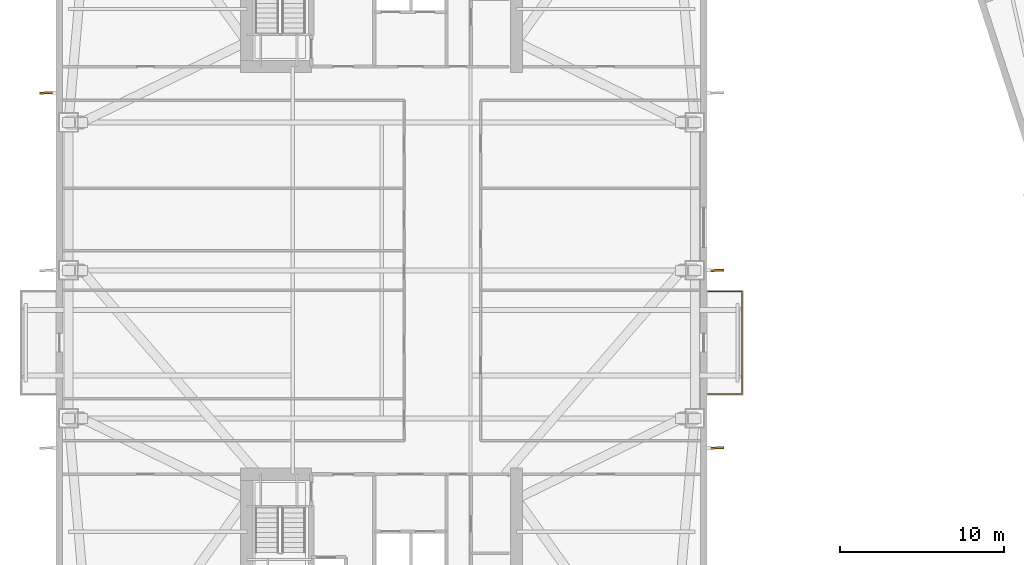
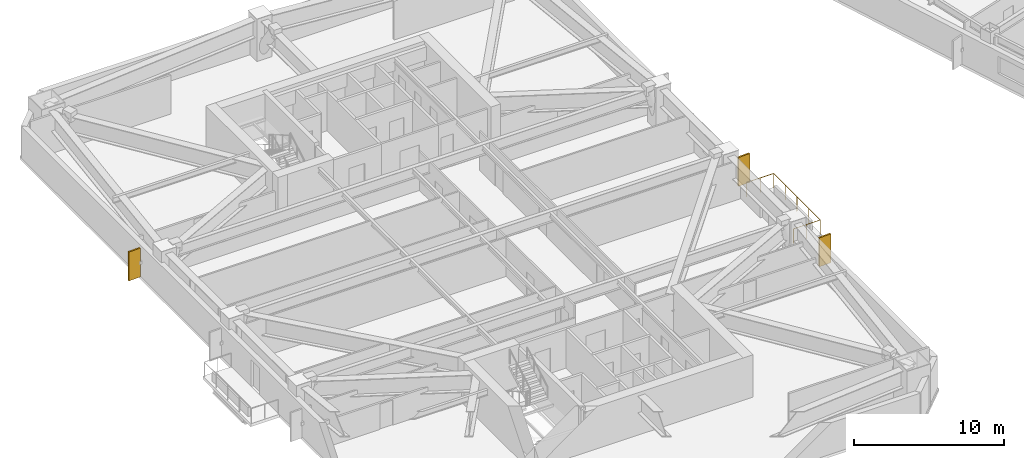
# One storey, part 16 of 19: 3 shading devices, 1 railing.
"""IFC4 building model written with IfcOpenShell, lengths in metres."""

from ifc_helpers import new_model, si_unit, direction, frame, origin, origin_2d, place, context, subcontext, project, spatial, rectangle, circle, extrude, material, layer, layer_set, type_object, element, save


model = new_model("IFC4")

# Units and contexts
model_context = context("Model", 3, precision=1e-05, world=origin(), true_north=direction((0.0, 1.0)))
body_context = subcontext(model_context, "Body", "Model", "MODEL_VIEW")
ifc_project = project(units=[si_unit("LENGTHUNIT", "METRE"), si_unit("AREAUNIT", "SQUARE_METRE"), si_unit("VOLUMEUNIT", "CUBIC_METRE"), si_unit("PLANEANGLEUNIT", "RADIAN"), si_unit("MASSUNIT", "GRAM", prefix="KILO")], contexts=[model_context])

# Site, building, storey
site_placement = place(None, origin())
site = spatial("IfcSite", under=ifc_project, at=site_placement, CompositionType="ELEMENT")
building_placement = place(site_placement, origin())
building = spatial("IfcBuilding", under=site, at=building_placement, Name="Qiaolan Cultural Towers", CompositionType="ELEMENT")
storey_placement = place(building_placement, frame((0.0, 0.0, 88.550048828125)))
storey = spatial("IfcBuildingStorey", under=building, at=storey_placement, Name="L22", CompositionType="ELEMENT", Elevation=88.550048828125)

# Railing
ifc_material_1 = material(Name="Laminated SentryGlas & Stainless Steel S31608 Balustrade", Category="steel")
railing_type = type_object("IfcRailingType", Name="GRD-TERR-1200", PredefinedType="BALUSTRADE", material=ifc_material_1)
railing_placement = place(storey_placement, frame((49.85009765625, 26.47998046875, 0.0)))
element("IfcRailing", 1, at=railing_placement, inside=storey, type_object=railing_type, Name="L22 T1 Tree Balcony Guardrail E", PredefinedType="BALUSTRADE", context=body_context, shape_type="SweptSolid", body=[
    extrude(circle(Radius=0.02392578125, at=origin_2d()), frame((0.0, 0.0, 1.17578125), z_axis=(1.0, 0.0, 0.0), x_axis=(0.0, 1.0, 0.0)), (0.0, 0.0, 1.0), 2.06982421875),
    extrude(circle(Radius=0.02392578125, at=origin_2d()), frame((2.06982421875, 0.0, 1.17578125), z_axis=(0.0, 1.0, 0.0), x_axis=(-1.0, 0.0, 0.0)), (0.0, 0.0, 1.0), 6.239990234375),
    extrude(circle(Radius=0.02392578125, at=origin_2d()), frame((2.06982421875, 6.239990234375, 1.17578125), z_axis=(-1.0, 0.0, 0.0), x_axis=(0.0, -1.0, 0.0)), (0.0, 0.0, 1.0), 2.06982421875),
    extrude(circle(Radius=0.02099609375, at=origin_2d()), origin(), (0.0, 0.0, 1.0), 1.15185546875),
    extrude(circle(Radius=0.02099609375, at=origin_2d()), frame((1.034912109375, 0.0, 0.0)), (0.0, 0.0, 1.0), 1.15185546875),
    extrude(circle(Radius=0.02099609375, at=origin_2d()), frame((2.06982421875, 0.0, 0.0)), (0.0, 0.0, 1.0), 1.15185546875),
    extrude(circle(Radius=0.02099609375, at=origin_2d()), frame((2.06982421875, 1.56005859375, 0.0)), (0.0, 0.0, 1.0), 1.15185546875),
    extrude(circle(Radius=0.02099609375, at=origin_2d()), frame((2.06982421875, 3.1201171875, 0.0)), (0.0, 0.0, 1.0), 1.15185546875),
    extrude(circle(Radius=0.02099609375, at=origin_2d()), frame((2.06982421875, 4.679931640625, 0.0)), (0.0, 0.0, 1.0), 1.15185546875),
    extrude(circle(Radius=0.02099609375, at=origin_2d()), frame((2.06982421875, 6.239990234375, 0.0)), (0.0, 0.0, 1.0), 1.15185546875),
    extrude(circle(Radius=0.02099609375, at=origin_2d()), frame((1.034912109375, 6.239990234375, 0.0)), (0.0, 0.0, 1.0), 1.15185546875),
    extrude(circle(Radius=0.02099609375, at=origin_2d()), frame((0.0, 6.239990234375, 0.0)), (0.0, 0.0, 1.0), 1.15185546875),
])

# Shading devices
ifc_material_2 = material(Name="Dark Basalt Honed Precast Terracotta Fin", Category="masonry")
ifc_layer = layer(ifc_material_2, 0.1201171875)
ifc_layer_set = layer_set([ifc_layer], Name="Dark Basalt Honed Precast Terracotta Fin")
shading_device_type = type_object("IfcShadingDeviceType", Name="SHD-FIN-DARK", PredefinedType="USERDEFINED", material=ifc_layer_set)
for number, where, z_axis, x_axis, name in (
    (2, (9.639892578125, 44.800048828125, 0.099853515625), (0.0, 0.0, 1.0), (0.998966827039, 0.045445335018, 0.0), "L22 T1 Expressive Precast Vertical Fin W3"),
    (3, (50.360107421875, 23.199951171875, 0.099853515625), (0.0, 0.0, 1.0), (0.998966827039, 0.045445335018, 0.0), "L22 T1 Expressive Precast Vertical Fin E1"),
    (4, (50.360107421875, 34.0, 0.099853515625), (0.0, 0.0, 1.0), (0.998966827039, 0.045445335018, 0.0), "L22 T1 Expressive Precast Vertical Fin E2"),
):
    element("IfcShadingDevice", number, at=place(storey_placement, frame(where, z_axis=z_axis, x_axis=x_axis)), inside=storey, type_object=shading_device_type, Name=name, ObjectType="FIN", PredefinedType="USERDEFINED", context=body_context, shape_type="SweptSolid", body=[
        extrude(rectangle(XDim=0.89990234375, YDim=0.1201171875, at=origin_2d()), origin(), (0.0, 0.0, 1.0), 2.35009765625),
    ])

save(model, "model.ifc")
